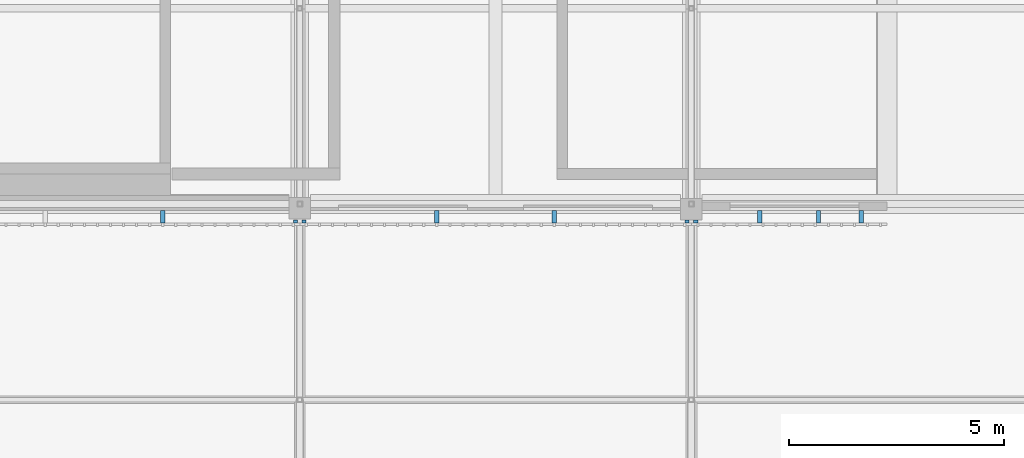
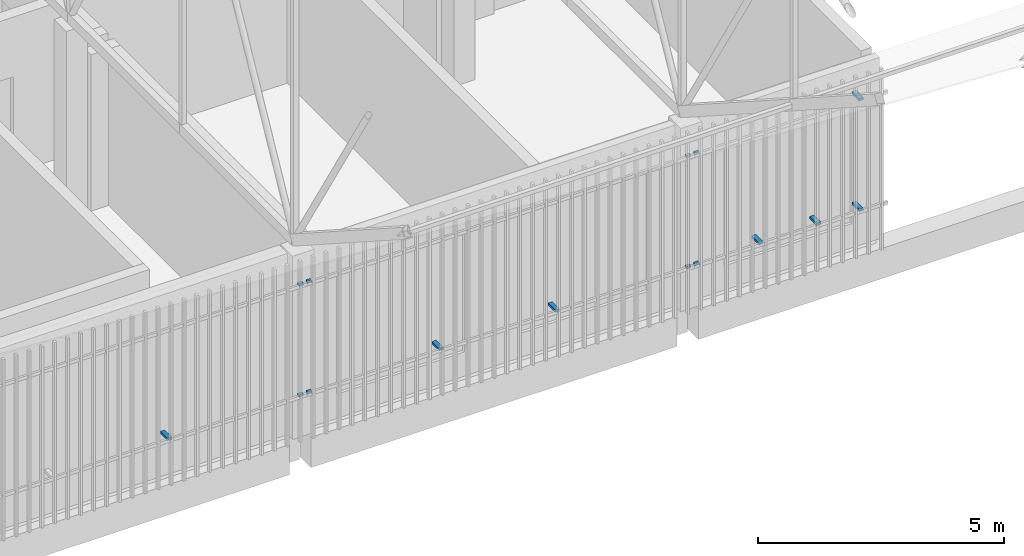
# One storey, part 441 of 500: 15 discrete accessories.
"""IFC4 building model written with IfcOpenShell, lengths in metres."""

from ifc_helpers import new_model, si_unit, direction, frame, origin, origin_2d, place, context, subcontext, project, spatial, rectangle, extrude, material, type_object, element, save


model = new_model("IFC4")

# Units and contexts
model_context = context("Model", 3, precision=1e-05, world=origin(), true_north=direction((0.0, 1.0)))
body_context = subcontext(model_context, "Body", "Model", "MODEL_VIEW")
ifc_project = project(units=[si_unit("LENGTHUNIT", "METRE"), si_unit("AREAUNIT", "SQUARE_METRE"), si_unit("VOLUMEUNIT", "CUBIC_METRE"), si_unit("PLANEANGLEUNIT", "RADIAN"), si_unit("MASSUNIT", "GRAM", prefix="KILO")], contexts=[model_context])

# Site, building, storey
site_placement = place(None, origin())
site = spatial("IfcSite", under=ifc_project, at=site_placement, CompositionType="ELEMENT")
building_placement = place(site_placement, origin())
building = spatial("IfcBuilding", under=site, at=building_placement, Name="Shirokan Park Arena", CompositionType="ELEMENT")
storey_placement = place(building_placement, frame((0.0, 0.0, 29.1201171875)))
storey = spatial("IfcBuildingStorey", under=building, at=storey_placement, Name="L06", CompositionType="ELEMENT", Elevation=29.1201171875)

# Discrete accessories
ifc_material = material(Name="Steel S355", Category="steel")
discrete_accessory_type = type_object("IfcDiscreteAccessoryType", Name="Veil bracket 100x60", PredefinedType="BRACKET", material=ifc_material)
for number, where, z_axis, x_axis, name in (
    (1, (27.199951171875, -0.409912109375, 1.06982421875), (0.0, 0.0, 1.0), (1.0, 0.0, 0.0), "Veil bracket south bay 3 L06 2"),
    (2, (27.199951171875, -0.409912109375, 3.81982421875), (0.0, 0.0, 1.0), (1.0, 0.0, 0.0), "Veil bracket south bay 3 L06 4"),
):
    element("IfcDiscreteAccessory", number, at=place(storey_placement, frame(where, z_axis=z_axis, x_axis=x_axis)), inside=storey, type_object=discrete_accessory_type, Name=name, PredefinedType="BRACKET", context=body_context, shape_type="SweptSolid", body=[
        extrude(rectangle(XDim=0.10009765625, YDim=0.070068359375, at=origin_2d()), origin(), (0.0, 0.0, 1.0), 0.06005859375),
    ])
discrete_accessory_1_placement = place(storey_placement, frame((24.114990234375, -0.297607421875, 1.06982421875), z_axis=(0.0, 0.0, 1.0), x_axis=(1.0, 0.0, 0.0)))
element("IfcDiscreteAccessory", 3, at=discrete_accessory_1_placement, inside=storey, type_object=discrete_accessory_type, Name="Veil bracket south bay 3 L06 wall 2", PredefinedType="BRACKET", context=body_context, shape_type="SweptSolid", body=[
    extrude(rectangle(XDim=0.10009765625, YDim=0.294921875, at=origin_2d()), origin(), (0.0, 0.0, 1.0), 0.06005859375),
])
for number, where, z_axis, x_axis, name in (
    (4, (27.39990234375, -0.409912109375, 1.06982421875), (0.0, 0.0, 1.0), (1.0, 0.0, 0.0), "Veil bracket south bay 4 L06 1"),
    (5, (36.300048828125, -0.409912109375, 1.06982421875), (0.0, 0.0, 1.0), (1.0, 0.0, 0.0), "Veil bracket south bay 4 L06 2"),
    (6, (27.39990234375, -0.409912109375, 3.81982421875), (0.0, 0.0, 1.0), (1.0, 0.0, 0.0), "Veil bracket south bay 4 L06 3"),
    (7, (36.300048828125, -0.409912109375, 3.81982421875), (0.0, 0.0, 1.0), (1.0, 0.0, 0.0), "Veil bracket south bay 4 L06 4"),
):
    element("IfcDiscreteAccessory", number, at=place(storey_placement, frame(where, z_axis=z_axis, x_axis=x_axis)), inside=storey, type_object=discrete_accessory_type, Name=name, PredefinedType="BRACKET", context=body_context, shape_type="SweptSolid", body=[
        extrude(rectangle(XDim=0.10009765625, YDim=0.070068359375, at=origin_2d()), origin(), (0.0, 0.0, 1.0), 0.06005859375),
    ])
for number, where, z_axis, x_axis, name in (
    (8, (30.485107421875, -0.297607421875, 1.06982421875), (0.0, 0.0, 1.0), (1.0, 0.0, 0.0), "Veil bracket south bay 4 L06 wall 1"),
    (9, (33.215087890625, -0.297607421875, 1.06982421875), (0.0, 0.0, 1.0), (1.0, 0.0, 0.0), "Veil bracket south bay 4 L06 wall 2"),
):
    element("IfcDiscreteAccessory", number, at=place(storey_placement, frame(where, z_axis=z_axis, x_axis=x_axis)), inside=storey, type_object=discrete_accessory_type, Name=name, PredefinedType="BRACKET", context=body_context, shape_type="SweptSolid", body=[
        extrude(rectangle(XDim=0.10009765625, YDim=0.294921875, at=origin_2d()), origin(), (0.0, 0.0, 1.0), 0.06005859375),
    ])
discrete_accessory_2_placement = place(storey_placement, frame((36.5, -0.409912109375, 1.06982421875), z_axis=(0.0, 0.0, 1.0), x_axis=(1.0, 0.0, 0.0)))
element("IfcDiscreteAccessory", 10, at=discrete_accessory_2_placement, inside=storey, type_object=discrete_accessory_type, Name="Veil bracket south bay 5 L06 1", PredefinedType="BRACKET", context=body_context, shape_type="SweptSolid", body=[
    extrude(rectangle(XDim=0.10009765625, YDim=0.070068359375, at=origin_2d()), origin(), (0.0, 0.0, 1.0), 0.06005859375),
])
discrete_accessory_3_placement = place(storey_placement, frame((40.35009765625, -0.297607421875, 1.06982421875), z_axis=(0.0, 0.0, 1.0), x_axis=(1.0, 0.0, 0.0)))
element("IfcDiscreteAccessory", 11, at=discrete_accessory_3_placement, inside=storey, type_object=discrete_accessory_type, Name="Veil bracket south bay 5 L06 2", PredefinedType="BRACKET", context=body_context, shape_type="SweptSolid", body=[
    extrude(rectangle(XDim=0.10009765625, YDim=0.294921875, at=origin_2d()), origin(), (0.0, 0.0, 1.0), 0.06005859375),
])
discrete_accessory_4_placement = place(storey_placement, frame((36.5, -0.409912109375, 3.81982421875), z_axis=(0.0, 0.0, 1.0), x_axis=(1.0, 0.0, 0.0)))
element("IfcDiscreteAccessory", 12, at=discrete_accessory_4_placement, inside=storey, type_object=discrete_accessory_type, Name="Veil bracket south bay 5 L06 3", PredefinedType="BRACKET", context=body_context, shape_type="SweptSolid", body=[
    extrude(rectangle(XDim=0.10009765625, YDim=0.070068359375, at=origin_2d()), origin(), (0.0, 0.0, 1.0), 0.06005859375),
])
for number, where, z_axis, x_axis, name in (
    (13, (40.35009765625, -0.297607421875, 3.81982421875), (0.0, 0.0, 1.0), (1.0, 0.0, 0.0), "Veil bracket south bay 5 L06 4"),
    (14, (37.992431640625, -0.297607421875, 1.06982421875), (0.0, 0.0, 1.0), (1.0, 0.0, 0.0), "Veil bracket south bay 5 L06 wall 1"),
    (15, (39.357421875, -0.297607421875, 1.06982421875), (0.0, 0.0, 1.0), (1.0, 0.0, 0.0), "Veil bracket south bay 5 L06 wall 2"),
):
    element("IfcDiscreteAccessory", number, at=place(storey_placement, frame(where, z_axis=z_axis, x_axis=x_axis)), inside=storey, type_object=discrete_accessory_type, Name=name, PredefinedType="BRACKET", context=body_context, shape_type="SweptSolid", body=[
        extrude(rectangle(XDim=0.10009765625, YDim=0.294921875, at=origin_2d()), origin(), (0.0, 0.0, 1.0), 0.06005859375),
    ])

save(model, "model.ifc")
